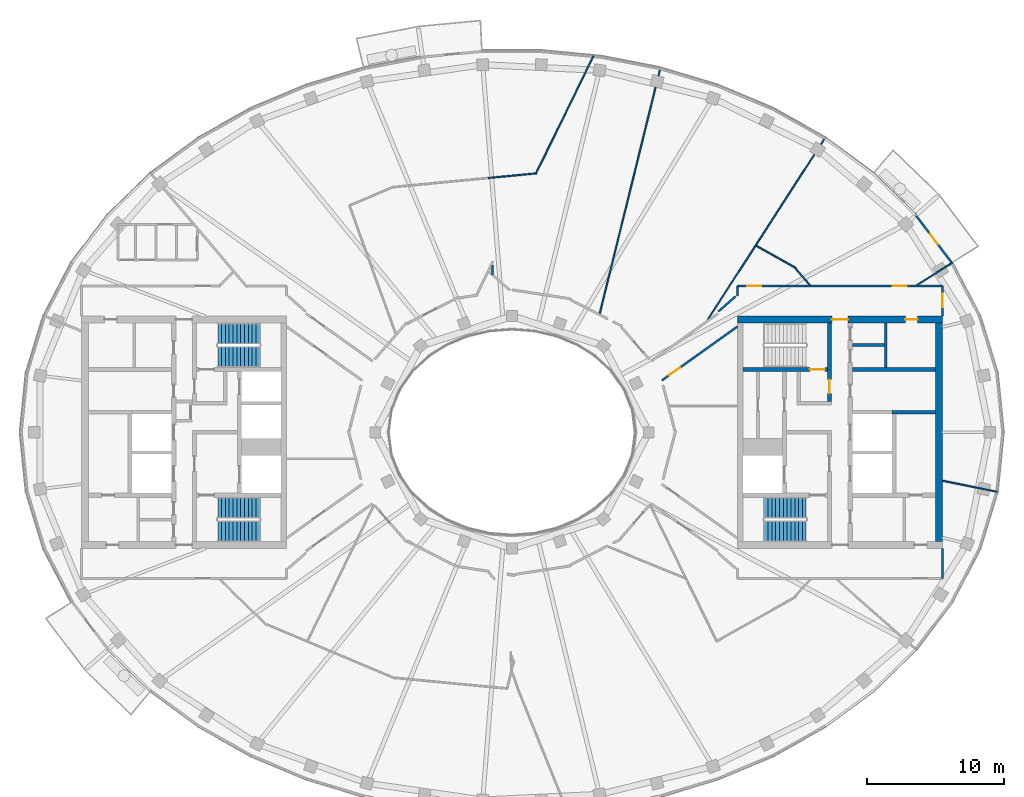
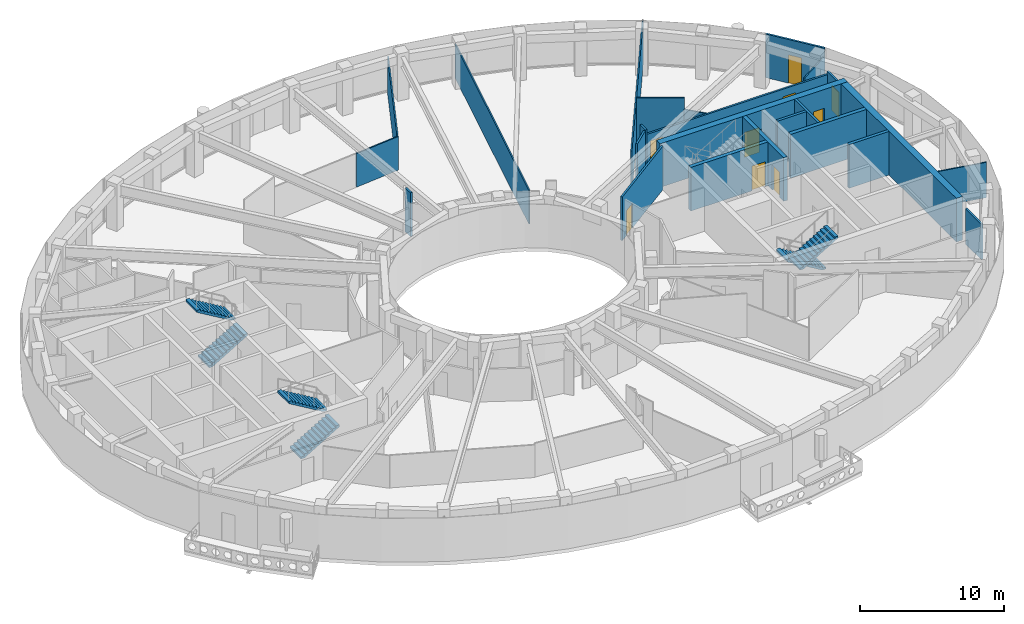
# One storey, part 10 of 20: 24 walls, 9 doors, 6 stair flights, 9 openings, 3 elements without a shape of their own.
"""IFC4 building model written with IfcOpenShell, lengths in metres."""

from ifc_helpers import new_model, si_unit, direction, frame, frame_2d, origin, place, context, subcontext, project, spatial, polyline, rectangle, outline, extrude, material, layer, layer_set, type_object, element, fill, aggregate, save


model = new_model("IFC4")

# Units and contexts
model_context = context("Model", 3, precision=1e-05, world=origin(), true_north=direction((0.0, 1.0)))
body_context = subcontext(model_context, "Body", "Model", "MODEL_VIEW")
ifc_project = project(units=[si_unit("LENGTHUNIT", "METRE"), si_unit("AREAUNIT", "SQUARE_METRE"), si_unit("VOLUMEUNIT", "CUBIC_METRE"), si_unit("PLANEANGLEUNIT", "RADIAN"), si_unit("MASSUNIT", "GRAM", prefix="KILO")], contexts=[model_context])

# Site, building, storey
site_placement = place(None, origin())
site = spatial("IfcSite", under=ifc_project, at=site_placement, CompositionType="ELEMENT")
building_placement = place(site_placement, origin())
building = spatial("IfcBuilding", under=site, at=building_placement, Name="Noorbagh Ring Tower", CompositionType="ELEMENT")
storey_placement = place(building_placement, frame((0.0, 0.0, 323.0)))
storey = spatial("IfcBuildingStorey", under=building, at=storey_placement, Name="L70", CompositionType="ELEMENT", Elevation=323.0)

# Walls
ifc_material_1 = material(Name="Gypsum board on steel studs", Category="steel")
ifc_layer_1 = layer(ifc_material_1, 0.199951171875)
ifc_layer_set_1 = layer_set([ifc_layer_1], Name="Gypsum board on steel studs")
wall_type_1 = type_object("IfcWallType", Name="CORE-PARTITION-200", PredefinedType="PARTITIONING", material=ifc_layer_set_1)
wall_1_placement = place(storey_placement, frame((27.35009765625, 4.75, 0.0), z_axis=(0.0, 0.0, 1.0), x_axis=(0.0, 1.0, 0.0)))
element("IfcWall", 1, at=wall_1_placement, inside=storey, type_object=wall_type_1, Name="Core partition E", PredefinedType="PARTITIONING", context=body_context, shape_type="SweptSolid", body=[
    extrude(rectangle(XDim=3.25, YDim=0.199951171875, at=frame_2d((1.625, 0.0))), origin(), (0.0, 0.0, 1.0), 3.699951171875),
])
wall_2_placement = place(storey_placement, frame((24.89990234375, 6.39990234375, 0.0), z_axis=(0.0, 0.0, 1.0), x_axis=(1.0, 0.0, 0.0)))
element("IfcWall", 2, at=wall_2_placement, inside=storey, type_object=wall_type_1, Name="Core partition E", PredefinedType="PARTITIONING", context=body_context, shape_type="SweptSolid", body=[
    extrude(rectangle(XDim=2.35009765625, YDim=0.199951171875, at=frame_2d((1.175048828125, 0.0))), origin(), (0.0, 0.0, 1.0), 3.699951171875),
])
ifc_material_2 = material(Name="Concrete C50/60", Category="concrete")
ifc_layer_2 = layer(ifc_material_2, 0.25)
ifc_layer_set_2 = layer_set([ifc_layer_2], Name="Concrete C50/60")
wall_type_2 = type_object("IfcWallType", Name="CORE-WALL-250-C50-60-EI120", PredefinedType="SHEAR", material=ifc_layer_set_2)
wall_3_placement = place(storey_placement, frame((27.800048828125, 1.47509765625, 0.0), z_axis=(0.0, 0.0, 1.0), x_axis=(1.0, 0.0, 0.0)))
element("IfcWall", 3, at=wall_3_placement, inside=storey, type_object=wall_type_2, Name="Core wall E", PredefinedType="SHEAR", context=body_context, shape_type="SweptSolid", body=[
    extrude(rectangle(XDim=3.199951171875, YDim=0.25, at=frame_2d((1.60009765625, 0.0))), origin(), (0.0, 0.0, 1.0), 3.699951171875),
])
ifc_material_3 = material(Name="Concrete C50/60", Category="concrete")
ifc_layer_3 = layer(ifc_material_3, 0.300048828125)
ifc_layer_set_3 = layer_set([ifc_layer_3], Name="Concrete C50/60")
wall_type_3 = type_object("IfcWallType", Name="CORE-WALL-300-C50-60-EI240", PredefinedType="SHEAR", material=ifc_layer_set_3)
wall_4_placement = place(storey_placement, frame((24.89990234375, 4.60009765625, 0.0), z_axis=(0.0, 0.0, 1.0), x_axis=(1.0, 0.0, 0.0)))
element("IfcWall", 4, at=wall_4_placement, inside=storey, type_object=wall_type_3, Name="Core wall E", PredefinedType="SHEAR", context=body_context, shape_type="SweptSolid", body=[
    extrude(rectangle(XDim=6.10009765625, YDim=0.300048828125, at=frame_2d((3.050048828125, 0.0))), origin(), (0.0, 0.0, 1.0), 3.699951171875),
])

# Wall, opening, door
wall_5_placement = place(storey_placement, frame((23.22998046875, 2.25, 0.0), z_axis=(0.0, 0.0, 1.0), x_axis=(0.0, 1.0, 0.0)))
wall_5 = element("IfcWall", 5, at=wall_5_placement, inside=storey, type_object=wall_type_3, Name="Core wall E", PredefinedType="SHEAR", context=body_context, shape_type="SweptSolid", body=[
    extrude(rectangle(XDim=5.75, YDim=0.300048828125, at=frame_2d((2.875, 0.0))), origin(), (0.0, 0.0, 1.0), 3.699951171875),
])
opening_1_placement = place(wall_5_placement, frame((0.60009765625, 0.0, 0.0)))
opening_1 = element("IfcOpeningElement", 6, at=opening_1_placement, cuts=wall_5, Name="Opening L70-CE07", PredefinedType="OPENING", context=body_context, shape_type="SweptSolid", body=[
    extrude(rectangle(XDim=1.0, YDim=2.10009765625, at=frame_2d((0.5, 1.050048828125))), frame((0.0, 0.16015625, 0.0), z_axis=(0.0, -1.0, 0.0), x_axis=(1.0, 0.0, 0.0)), (0.0, 0.0, 1.0), 0.320068359375),
])
ifc_material_4 = material(Name="Steel door leaf", Category="steel")
door_type_1 = type_object("IfcDoorType", Name="CORE-DOOR-DVEST", OperationType="SINGLE_SWING_LEFT", PredefinedType="DOOR", material=ifc_material_4)
door_1_placement = place(opening_1_placement, origin())
door_1 = element("IfcDoor", 7, at=door_1_placement, inside=storey, type_object=door_type_1, Name="Stair vestibule door L70-CE07", OperationType="SINGLE_SWING_RIGHT", OverallHeight=2.10009765625, OverallWidth=1.0, PredefinedType="DOOR", context=body_context, shape_type="SweptSolid", body=[
    extrude(rectangle(XDim=1.0, YDim=2.10009765625, at=frame_2d((0.5, 1.050048828125))), frame((0.0, 0.02490234375, 0.0), z_axis=(0.0, -1.0, 0.0), x_axis=(1.0, 0.0, 0.0)), (0.0, 0.0, 1.0), 0.050048828125),
])
fill(opening_1, door_1)

wall_6_placement = place(storey_placement, frame((16.89990234375, 4.60009765625, 0.0), z_axis=(0.0, 0.0, 1.0), x_axis=(1.0, 0.0, 0.0)))
wall_6 = element("IfcWall", 8, at=wall_6_placement, inside=storey, type_object=wall_type_3, Name="Core wall E", PredefinedType="SHEAR", context=body_context, shape_type="SweptSolid", body=[
    extrude(rectangle(XDim=6.18017578125, YDim=0.300048828125, at=frame_2d((3.090087890625, 0.0))), origin(), (0.0, 0.0, 1.0), 3.699951171875),
])
opening_2_placement = place(wall_6_placement, frame((4.89990234375, 0.0, 0.0)))
opening_2 = element("IfcOpeningElement", 9, at=opening_2_placement, cuts=wall_6, Name="Opening L70-CE04", PredefinedType="OPENING", context=body_context, shape_type="SweptSolid", body=[
    extrude(rectangle(XDim=1.10009765625, YDim=2.10009765625, at=frame_2d((0.550048828125, 1.050048828125))), frame((0.0, 0.16015625, 0.0), z_axis=(0.0, -1.0, 0.0), x_axis=(1.0, 0.0, 0.0)), (0.0, 0.0, 1.0), 0.320068359375),
])
ifc_material_5 = material(Name="Steel door leaf", Category="steel")
door_type_2 = type_object("IfcDoorType", Name="CORE-DOOR-DSTAIR", OperationType="SINGLE_SWING_LEFT", PredefinedType="DOOR", material=ifc_material_5)
door_2_placement = place(opening_2_placement, origin())
door_2 = element("IfcDoor", 10, at=door_2_placement, inside=storey, type_object=door_type_2, Name="Stair door ST3 L70-CE04", OperationType="SINGLE_SWING_LEFT", OverallHeight=2.10009765625, OverallWidth=1.10009765625, PredefinedType="DOOR", context=body_context, shape_type="SweptSolid", body=[
    extrude(rectangle(XDim=1.10009765625, YDim=2.10009765625, at=frame_2d((0.550048828125, 1.050048828125))), frame((0.0, 0.02490234375, 0.0), z_axis=(0.0, -1.0, 0.0), x_axis=(1.0, 0.0, 0.0)), (0.0, 0.0, 1.0), 0.050048828125),
])
fill(opening_2, door_2)

# Wall, openings, doors
ifc_material_6 = material(Name="Concrete C50/60", Category="concrete")
ifc_layer_4 = layer(ifc_material_6, 0.5)
ifc_layer_set_4 = layer_set([ifc_layer_4], Name="Concrete C50/60")
wall_type_4 = type_object("IfcWallType", Name="CORE-WALL-500-C50-60-EI240", PredefinedType="SHEAR", material=ifc_layer_set_4)
wall_7_placement = place(storey_placement, frame((16.5, 8.25, 0.0), z_axis=(0.0, 0.0, 1.0), x_axis=(1.0, 0.0, 0.0)))
wall_7 = element("IfcWall", 11, at=wall_7_placement, inside=storey, type_object=wall_type_4, Name="Core wall E", PredefinedType="SHEAR", context=body_context, shape_type="SweptSolid", body=[
    extrude(rectangle(XDim=15.0, YDim=0.5, at=frame_2d((7.5, 0.0))), origin(), (0.0, 0.0, 1.0), 3.699951171875),
])
opening_3_placement = place(wall_7_placement, frame((6.89990234375, 0.0, 0.0)))
opening_3 = element("IfcOpeningElement", 12, at=opening_3_placement, cuts=wall_7, Name="Opening L70-CE08", PredefinedType="OPENING", context=body_context, shape_type="SweptSolid", body=[
    extrude(rectangle(XDim=1.199951171875, YDim=2.10009765625, at=frame_2d((0.60009765625, 1.050048828125))), frame((0.0, 0.260009765625, 0.0), z_axis=(0.0, -1.0, 0.0), x_axis=(1.0, 0.0, 0.0)), (0.0, 0.0, 1.0), 0.52001953125),
])
opening_4_placement = place(wall_7_placement, frame((12.27490234375, 0.0, 0.0)))
opening_4 = element("IfcOpeningElement", 13, at=opening_4_placement, cuts=wall_7, Name="Opening L70-CE15", PredefinedType="OPENING", context=body_context, shape_type="SweptSolid", body=[
    extrude(rectangle(XDim=0.89990234375, YDim=2.10009765625, at=frame_2d((0.449951171875, 1.050048828125))), frame((0.0, 0.260009765625, 0.0), z_axis=(0.0, -1.0, 0.0), x_axis=(1.0, 0.0, 0.0)), (0.0, 0.0, 1.0), 0.52001953125),
])
ifc_material_7 = material(Name="Steel door leaf", Category="steel")
door_type_3 = type_object("IfcDoorType", Name="CORE-DOOR-DROOM", OperationType="SINGLE_SWING_LEFT", PredefinedType="DOOR", material=ifc_material_7)
door_3_placement = place(opening_4_placement, origin())
door_3 = element("IfcDoor", 14, at=door_3_placement, inside=storey, type_object=door_type_3, Name="Core room door L70-CE15", OperationType="SINGLE_SWING_LEFT", OverallHeight=2.10009765625, OverallWidth=0.89990234375, PredefinedType="DOOR", context=body_context, shape_type="SweptSolid", body=[
    extrude(rectangle(XDim=0.89990234375, YDim=2.10009765625, at=frame_2d((0.449951171875, 1.050048828125))), frame((0.0, 0.02490234375, 0.0), z_axis=(0.0, -1.0, 0.0), x_axis=(1.0, 0.0, 0.0)), (0.0, 0.0, 1.0), 0.050048828125),
])
fill(opening_4, door_3)
ifc_material_8 = material(Name="Steel door leaf", Category="steel")
door_type_4 = type_object("IfcDoorType", Name="CORE-DOOR-PORT", OperationType="DOUBLE_DOOR_DOUBLE_SWING", PredefinedType="DOOR", material=ifc_material_8)
door_4_placement = place(opening_3_placement, origin())
door_4 = element("IfcDoor", 15, at=door_4_placement, inside=storey, type_object=door_type_4, Name="Core entrance door L70-CE08", OperationType="DOUBLE_DOOR_DOUBLE_SWING", OverallHeight=2.10009765625, OverallWidth=1.199951171875, PredefinedType="DOOR", context=body_context, shape_type="SweptSolid", body=[
    extrude(rectangle(XDim=1.199951171875, YDim=2.10009765625, at=frame_2d((0.60009765625, 1.050048828125))), frame((0.0, 0.02490234375, 0.0), z_axis=(0.0, -1.0, 0.0), x_axis=(1.0, 0.0, 0.0)), (0.0, 0.0, 1.0), 0.050048828125),
])
fill(opening_3, door_4)

# Walls
wall_8_placement = place(storey_placement, frame((31.25, -8.0, 0.0), z_axis=(0.0, 0.0, 1.0), x_axis=(0.0, 1.0, 0.0)))
element("IfcWall", 16, at=wall_8_placement, inside=storey, type_object=wall_type_4, Name="Core wall E", PredefinedType="SHEAR", context=body_context, shape_type="SweptSolid", body=[
    extrude(rectangle(XDim=16.0, YDim=0.5, at=frame_2d((8.0, 0.0))), origin(), (0.0, 0.0, 1.0), 3.699951171875),
])
ifc_material_9 = material(Name="Gypsum board on steel studs", Category="steel")
ifc_layer_5 = layer(ifc_material_9, 0.14990234375)
ifc_layer_set_5 = layer_set([ifc_layer_5], Name="Gypsum board on steel studs")
wall_type_5 = type_object("IfcWallType", Name="CORRIDOR PARTITION 150 EI 30", PredefinedType="PARTITIONING", material=ifc_layer_set_5)
wall_9_placement = place(storey_placement, frame((-1.444091796875, 12.22705078125, 0.0), z_axis=(0.0, 0.0, 1.0), x_axis=(0.048153441125, -0.998839950196, 0.0)))
element("IfcWall", 17, at=wall_9_placement, inside=storey, type_object=wall_type_5, Name="L70/wall/P47", PredefinedType="PARTITIONING", context=body_context, shape_type="SweptSolid", body=[
    extrude(rectangle(XDim=0.709716796875, YDim=0.14990234375, at=frame_2d((0.35498046875, 0.0))), origin(), (0.0, 0.0, 1.0), 3.699951171875),
])

# Wall, opening, door
wall_10_placement = place(storey_placement, frame((10.969970703125, 3.799072265625, 0.0), z_axis=(0.0, 0.0, 1.0), x_axis=(0.814095150002, 0.580731510032, 0.0)))
wall_10 = element("IfcWall", 18, at=wall_10_placement, inside=storey, type_object=wall_type_5, Name="L70/wall/P72", PredefinedType="PARTITIONING", context=body_context, shape_type="SweptSolid", body=[
    extrude(rectangle(XDim=6.79296875, YDim=0.14990234375, at=frame_2d((3.396484375, 0.0))), origin(), (0.0, 0.0, 1.0), 3.699951171875),
])
opening_5_placement = place(wall_10_placement, frame((0.64990234375, 0.0, 0.0)))
opening_5 = element("IfcOpeningElement", 19, at=opening_5_placement, cuts=wall_10, Name="Opening D1", PredefinedType="OPENING", context=body_context, shape_type="SweptSolid", body=[
    extrude(rectangle(XDim=1.0, YDim=2.10009765625, at=frame_2d((0.5, 1.050048828125))), frame((0.0, 0.0849609375, 0.0), z_axis=(0.0, -1.0, 0.0), x_axis=(1.0, 0.0, 0.0)), (0.0, 0.0, 1.0), 0.169921875),
])
ifc_material_10 = material(Name="Timber, painted", Category="wood")
door_type_5 = type_object("IfcDoorType", Name="DOOR 1000 X 2100 FD30", OperationType="SINGLE_SWING_LEFT", PredefinedType="DOOR", material=ifc_material_10)
door_5_placement = place(opening_5_placement, origin())
door_5 = element("IfcDoor", 20, at=door_5_placement, inside=storey, type_object=door_type_5, Name="L70-D21", OperationType="SINGLE_SWING_LEFT", OverallHeight=2.10009765625, OverallWidth=1.0, PredefinedType="DOOR", context=body_context, shape_type="SweptSolid", body=[
    extrude(rectangle(XDim=1.0, YDim=2.10009765625, at=frame_2d((0.5, 1.050048828125))), frame((0.0, 0.02490234375, 0.0), z_axis=(0.0, -1.0, 0.0), x_axis=(1.0, 0.0, 0.0)), (0.0, 0.0, 1.0), 0.050048828125),
])
fill(opening_5, door_5)

# Wall
wall_11_placement = place(storey_placement, frame((16.5, 9.964111328125, 0.0), z_axis=(0.0, 0.0, 1.0), x_axis=(0.0, 1.0, 0.0)))
element("IfcWall", 21, at=wall_11_placement, inside=storey, type_object=wall_type_5, Name="L70/wall/P82", PredefinedType="PARTITIONING", context=body_context, shape_type="SweptSolid", body=[
    extrude(rectangle(XDim=0.73583984375, YDim=0.14990234375, at=frame_2d((0.367919921875, 0.0))), origin(), (0.0, 0.0, 1.0), 3.699951171875),
])

# Wall, openings, doors
wall_12_placement = place(storey_placement, frame((16.5, 10.699951171875, 0.0), z_axis=(0.0, 0.0, 1.0), x_axis=(1.0, 0.0, 0.0)))
wall_12 = element("IfcWall", 22, at=wall_12_placement, inside=storey, type_object=wall_type_5, Name="L70/wall/P83", PredefinedType="PARTITIONING", context=body_context, shape_type="SweptSolid", body=[
    extrude(rectangle(XDim=15.0, YDim=0.14990234375, at=frame_2d((7.5, 0.0))), origin(), (0.0, 0.0, 1.0), 2.75),
])
opening_6_placement = place(wall_12_placement, frame((0.72509765625, 0.0, 0.0)))
opening_6 = element("IfcOpeningElement", 23, at=opening_6_placement, cuts=wall_12, Name="Opening D1", PredefinedType="OPENING", context=body_context, shape_type="SweptSolid", body=[
    extrude(rectangle(XDim=1.0, YDim=2.10009765625, at=frame_2d((0.5, 1.050048828125))), frame((0.0, 0.0849609375, 0.0), z_axis=(0.0, -1.0, 0.0), x_axis=(1.0, 0.0, 0.0)), (0.0, 0.0, 1.0), 0.169921875),
])
opening_7_placement = place(wall_12_placement, frame((11.37109375, 0.0, 0.0)))
opening_7 = element("IfcOpeningElement", 24, at=opening_7_placement, cuts=wall_12, Name="Opening D1", PredefinedType="OPENING", context=body_context, shape_type="SweptSolid", body=[
    extrude(rectangle(XDim=1.0, YDim=2.10009765625, at=frame_2d((0.5, 1.050048828125))), frame((0.0, 0.0849609375, 0.0), z_axis=(0.0, -1.0, 0.0), x_axis=(1.0, 0.0, 0.0)), (0.0, 0.0, 1.0), 0.169921875),
])
door_6_placement = place(opening_6_placement, origin())
door_6 = element("IfcDoor", 25, at=door_6_placement, inside=storey, type_object=door_type_5, Name="L70-D14", OperationType="SINGLE_SWING_RIGHT", OverallHeight=2.10009765625, OverallWidth=1.0, PredefinedType="DOOR", context=body_context, shape_type="SweptSolid", body=[
    extrude(rectangle(XDim=1.0, YDim=2.10009765625, at=frame_2d((0.5, 1.050048828125))), frame((0.0, 0.02490234375, 0.0), z_axis=(0.0, -1.0, 0.0), x_axis=(1.0, 0.0, 0.0)), (0.0, 0.0, 1.0), 0.050048828125),
])
fill(opening_6, door_6)
door_7_placement = place(opening_7_placement, origin())
door_7 = element("IfcDoor", 26, at=door_7_placement, inside=storey, type_object=door_type_5, Name="L70-D15", OperationType="SINGLE_SWING_LEFT", OverallHeight=2.10009765625, OverallWidth=1.0, PredefinedType="DOOR", context=body_context, shape_type="SweptSolid", body=[
    extrude(rectangle(XDim=1.0, YDim=2.10009765625, at=frame_2d((0.5, 1.050048828125))), frame((0.0, 0.02490234375, 0.0), z_axis=(0.0, -1.0, 0.0), x_axis=(1.0, 0.0, 0.0)), (0.0, 0.0, 1.0), 0.050048828125),
])
fill(opening_7, door_7)

# Wall
wall_13_placement = place(storey_placement, frame((31.5, -10.699951171875, 0.0), z_axis=(0.0, 0.0, 1.0), x_axis=(0.0, 1.0, 0.0)))
element("IfcWall", 27, at=wall_13_placement, inside=storey, type_object=wall_type_5, Name="L70/wall/P89", PredefinedType="PARTITIONING", context=body_context, shape_type="SweptSolid", body=[
    extrude(rectangle(XDim=2.199951171875, YDim=0.14990234375, at=frame_2d((1.10009765625, 0.0))), origin(), (0.0, 0.0, 1.0), 3.0),
])

# Wall, opening, door
wall_14_placement = place(storey_placement, frame((31.5, 8.5, 0.0), z_axis=(0.0, 0.0, 1.0), x_axis=(0.0, 1.0, 0.0)))
wall_14 = element("IfcWall", 28, at=wall_14_placement, inside=storey, type_object=wall_type_5, Name="L70/wall/P91", PredefinedType="PARTITIONING", context=body_context, shape_type="SweptSolid", body=[
    extrude(rectangle(XDim=2.199951171875, YDim=0.14990234375, at=frame_2d((1.10009765625, 0.0))), origin(), (0.0, 0.0, 1.0), 3.0),
])
opening_8_placement = place(wall_14_placement, frame((0.64990234375, 0.0, 0.0)))
opening_8 = element("IfcOpeningElement", 29, at=opening_8_placement, cuts=wall_14, Name="Opening D1", PredefinedType="OPENING", context=body_context, shape_type="SweptSolid", body=[
    extrude(rectangle(XDim=1.0, YDim=2.10009765625, at=frame_2d((0.5, 1.050048828125))), frame((0.0, 0.0849609375, 0.0), z_axis=(0.0, -1.0, 0.0), x_axis=(1.0, 0.0, 0.0)), (0.0, 0.0, 1.0), 0.169921875),
])
door_8_placement = place(opening_8_placement, origin())
door_8 = element("IfcDoor", 30, at=door_8_placement, inside=storey, type_object=door_type_5, Name="L70-D17", OperationType="SINGLE_SWING_LEFT", OverallHeight=2.10009765625, OverallWidth=1.0, PredefinedType="DOOR", context=body_context, shape_type="SweptSolid", body=[
    extrude(rectangle(XDim=1.0, YDim=2.10009765625, at=frame_2d((0.5, 1.050048828125))), frame((0.0, 0.02490234375, 0.0), z_axis=(0.0, -1.0, 0.0), x_axis=(1.0, 0.0, 0.0)), (0.0, 0.0, 1.0), 0.050048828125),
])
fill(opening_8, door_8)

# Wall
wall_15_placement = place(storey_placement, frame((15.090087890625, 8.8310546875, 0.0), z_axis=(0.0, 0.0, 1.0), x_axis=(0.750621325629, 0.660732642989, 0.0)))
element("IfcWall", 31, at=wall_15_placement, inside=storey, type_object=wall_type_5, Name="L70/wall/P95", PredefinedType="PARTITIONING", context=body_context, shape_type="SweptSolid", body=[
    extrude(rectangle(XDim=1.68115234375, YDim=0.14990234375, at=frame_2d((0.840576171875, 0.0))), origin(), (0.0, 0.0, 1.0), 3.699951171875),
])

# Wall, opening, door
ifc_material_11 = material(Name="Insulated aluminium clad panel", Category="aluminium")
ifc_layer_6 = layer(ifc_material_11, 0.14990234375)
ifc_layer_set_6 = layer_set([ifc_layer_6], Name="Insulated aluminium clad panel")
wall_type_6 = type_object("IfcWallType", Name="ENV-WALL-DOOR", PredefinedType="STANDARD", material=ifc_layer_set_6)
wall_16_placement = place(storey_placement, frame((32.20751953125, 12.37353515625, 0.0), z_axis=(0.0, 0.0, 1.0), x_axis=(-0.604045763106, 0.796949632081, 0.0)))
wall_16 = element("IfcWall", 32, at=wall_16_placement, inside=storey, type_object=wall_type_6, Name="Balcony door wall chord 04", PredefinedType="STANDARD", context=body_context, shape_type="SweptSolid", body=[
    extrude(rectangle(XDim=4.42333984375, YDim=0.14990234375, at=frame_2d((2.211669921875, 0.0))), origin(), (0.0, 0.0, 1.0), 3.699951171875),
])
opening_9_placement = place(wall_16_placement, frame((1.711669921875, 0.0, 0.0)))
opening_9 = element("IfcOpeningElement", 33, at=opening_9_placement, cuts=wall_16, Name="Opening D-BL", PredefinedType="OPENING", context=body_context, shape_type="SweptSolid", body=[
    extrude(rectangle(XDim=1.0, YDim=2.39990234375, at=frame_2d((0.5, 1.199951171875))), frame((0.0, 0.0849609375, 0.0), z_axis=(0.0, -1.0, 0.0), x_axis=(1.0, 0.0, 0.0)), (0.0, 0.0, 1.0), 0.169921875),
])
ifc_material_12 = material(Name="Aluminium and glass", Category="aluminium")
door_type_6 = type_object("IfcDoorType", Name="ENV-DOOR-BALCONY", OperationType="SINGLE_SWING_LEFT", PredefinedType="DOOR", material=ifc_material_12)
door_9_placement = place(opening_9_placement, origin())
door_9 = element("IfcDoor", 34, at=door_9_placement, inside=storey, type_object=door_type_6, Name="Balcony door chord 04", OperationType="SINGLE_SWING_LEFT", OverallHeight=2.39990234375, OverallWidth=1.0, PredefinedType="DOOR", context=body_context, shape_type="SweptSolid", body=[
    extrude(rectangle(XDim=1.0, YDim=2.39990234375, at=frame_2d((0.5, 1.199951171875))), frame((0.0, 0.02490234375, 0.0), z_axis=(0.0, -1.0, 0.0), x_axis=(1.0, 0.0, 0.0)), (0.0, 0.0, 1.0), 0.050048828125),
])
fill(opening_9, door_9)

# Walls
ifc_material_13 = material(Name="Gypsum board on steel studs", Category="steel")
ifc_layer_7 = layer(ifc_material_13, 0.10009765625)
ifc_layer_set_7 = layer_set([ifc_layer_7], Name="Gypsum board on steel studs")
wall_type_7 = type_object("IfcWallType", Name="PARTITION 100 GYPSUM", PredefinedType="PARTITIONING", material=ifc_layer_set_7)
wall_17_placement = place(storey_placement, frame((-1.7490234375, 18.611083984375, 0.0), z_axis=(0.0, 0.0, 1.0), x_axis=(0.995435221006, 0.095439618505, 0.0)))
element("IfcWall", 35, at=wall_17_placement, inside=storey, type_object=wall_type_7, Name="L70/wall/P46", PredefinedType="PARTITIONING", context=body_context, shape_type="SweptSolid", body=[
    extrude(rectangle(XDim=3.581298828125, YDim=0.10009765625, at=frame_2d((1.79052734375, 0.0))), origin(), (0.0, 0.0, 1.0), 2.85009765625),
])
wall_18_placement = place(storey_placement, frame((1.783935546875, 19.0, 0.0), z_axis=(0.0, 0.0, 1.0), x_axis=(0.43920137793, 0.898388640636, 0.0)))
element("IfcWall", 36, at=wall_18_placement, inside=storey, type_object=wall_type_7, Name="L70/wall/P58", PredefinedType="PARTITIONING", context=body_context, shape_type="SweptSolid", body=[
    extrude(rectangle(XDim=9.503662109375, YDim=0.10009765625, at=frame_2d((4.751953125, 0.0))), origin(), (0.0, 0.0, 1.0), 3.0),
])
wall_19_placement = place(storey_placement, frame((6.419921875, 8.69189453125, 0.0), z_axis=(0.0, 0.0, 1.0), x_axis=(0.239714123263, 0.970843519373, 0.0)))
element("IfcWall", 37, at=wall_19_placement, inside=storey, type_object=wall_type_7, Name="L70/wall/P62", PredefinedType="PARTITIONING", context=body_context, shape_type="SweptSolid", body=[
    extrude(rectangle(XDim=18.493408203125, YDim=0.10009765625, at=frame_2d((9.24658203125, 0.0))), origin(), (0.0, 0.0, 1.0), 2.85009765625),
])
wall_20_placement = place(storey_placement, frame((14.330078125, 8.256103515625, 0.0), z_axis=(0.0, 0.0, 1.0), x_axis=(0.542279133869, 0.840198393816, 0.0)))
element("IfcWall", 38, at=wall_20_placement, inside=storey, type_object=wall_type_7, Name="L70/wall/P78", PredefinedType="PARTITIONING", context=body_context, shape_type="SweptSolid", body=[
    extrude(rectangle(XDim=15.812744140625, YDim=0.10009765625, at=frame_2d((7.90625, 0.0))), origin(), (0.0, 0.0, 1.0), 3.699951171875),
])
wall_21_placement = place(storey_placement, frame((17.8740234375, 13.653076171875, 0.0), z_axis=(0.0, 0.0, 1.0), x_axis=(0.871459194926, -0.490468012799, 0.0)))
element("IfcWall", 39, at=wall_21_placement, inside=storey, type_object=wall_type_7, Name="L70/wall/P84", PredefinedType="PARTITIONING", context=body_context, shape_type="SweptSolid", body=[
    extrude(rectangle(XDim=3.30712890625, YDim=0.10009765625, at=frame_2d((1.653564453125, 0.0))), origin(), (0.0, 0.0, 1.0), 3.699951171875),
])
wall_22_placement = place(storey_placement, frame((20.72705078125, 11.993896484375, 0.0), z_axis=(0.0, 0.0, 1.0), x_axis=(0.663507744466, -0.748169414661, 0.0)))
element("IfcWall", 40, at=wall_22_placement, inside=storey, type_object=wall_type_7, Name="L70/wall/P86", PredefinedType="PARTITIONING", context=body_context, shape_type="SweptSolid", body=[
    extrude(rectangle(XDim=1.62939453125, YDim=0.10009765625, at=frame_2d((0.814697265625, 0.0))), origin(), (0.0, 0.0, 1.0), 2.75),
])
wall_23_placement = place(storey_placement, frame((29.636962890625, 10.777099609375, 0.0), z_axis=(0.0, 0.0, 1.0), x_axis=(0.844810627195, 0.535065420467, 0.0)))
element("IfcWall", 41, at=wall_23_placement, inside=storey, type_object=wall_type_7, Name="L70/wall/P88", PredefinedType="PARTITIONING", context=body_context, shape_type="SweptSolid", body=[
    extrude(rectangle(XDim=3.0478515625, YDim=0.10009765625, at=frame_2d((1.52392578125, 0.0))), origin(), (0.0, 0.0, 1.0), 3.0),
])
wall_24_placement = place(storey_placement, frame((31.5, -3.5419921875, 0.0), z_axis=(0.0, 0.0, 1.0), x_axis=(0.980357474535, -0.197228857227, 0.0)))
element("IfcWall", 42, at=wall_24_placement, inside=storey, type_object=wall_type_7, Name="L70/wall/P90", PredefinedType="PARTITIONING", context=body_context, shape_type="SweptSolid", body=[
    extrude(rectangle(XDim=4.09228515625, YDim=0.10009765625, at=frame_2d((2.046142578125, 0.0))), origin(), (0.0, 0.0, 1.0), 3.0),
])

# Stair, stair flights
ifc_material_14 = material(Name="Concrete C40/50", Category="concrete")
stair_type = type_object("IfcStairType", Name="CORE-STAIR", PredefinedType="HALF_TURN_STAIR", material=ifc_material_14)
stair_1_placement = place(storey_placement, origin())
stair_1 = element("IfcStair", 43, at=stair_1_placement, inside=storey, type_object=stair_type, Name="L70 Exit stair ST1", PredefinedType="HALF_TURN_STAIR")
ifc_material_15 = material(Name="Concrete C40/50", Category="concrete")
stair_flight_type = type_object("IfcStairFlightType", Name="CORE-STAIR-FLIGHT", PredefinedType="STRAIGHT", material=ifc_material_15)
stair_flight_1_placement = place(storey_placement, frame((-21.530029296875, 5.52490234375, 0.0), z_axis=(0.0, 0.0, 1.0), x_axis=(1.0, 0.0, 0.0)))
stair_flight_1 = element("IfcStairFlight", 44, at=stair_flight_1_placement, type_object=stair_flight_type, Name="ST1 flight 1", NumberOfRisers=12, NumberOfTreads=11, PredefinedType="STRAIGHT", RiserHeight=0.166666667, TreadLength=0.28, context=body_context, shape_type="SweptSolid", body=[
    extrude(outline(polyline([(0.0, 0.0), (0.0, 0.166748046875), (0.280029296875, 0.166748046875), (0.280029296875, 0.333251953125), (0.56005859375, 0.333251953125), (0.56005859375, 0.5), (0.840087890625, 0.5), (0.840087890625, 0.666748046875), (1.1201171875, 0.666748046875), (1.1201171875, 0.833251953125), (1.39990234375, 0.833251953125), (1.39990234375, 1.0), (1.679931640625, 1.0), (1.679931640625, 1.166748046875), (1.9599609375, 1.166748046875), (1.9599609375, 1.333251953125), (2.239990234375, 1.333251953125), (2.239990234375, 1.5), (2.52001953125, 1.5), (2.52001953125, 1.666748046875), (2.800048828125, 1.666748046875), (2.800048828125, 1.833251953125), (3.080078125, 1.833251953125), (3.080078125, 2.0), (3.080078125, 1.658935546875), (0.29296875, 0.0), (0.0, 0.0)])), frame((0.0, 0.77490234375, 0.0), z_axis=(0.0, -1.0, 0.0), x_axis=(1.0, 0.0, 0.0)), (0.0, 0.0, 1.0), 1.550048828125),
])
stair_flight_2_placement = place(storey_placement, frame((-18.449951171875, 7.22509765625, 2.0), z_axis=(0.0, 0.0, 1.0), x_axis=(-1.0, 0.0, 0.0)))
stair_flight_2 = element("IfcStairFlight", 45, at=stair_flight_2_placement, type_object=stair_flight_type, Name="ST1 flight 2", NumberOfRisers=12, NumberOfTreads=11, PredefinedType="STRAIGHT", RiserHeight=0.166666667, TreadLength=0.28, context=body_context, shape_type="SweptSolid", body=[
    extrude(outline(polyline([(0.0, 0.0), (0.0, 0.166748046875), (0.280029296875, 0.166748046875), (0.280029296875, 0.333251953125), (0.56005859375, 0.333251953125), (0.56005859375, 0.5), (0.840087890625, 0.5), (0.840087890625, 0.666748046875), (1.1201171875, 0.666748046875), (1.1201171875, 0.833251953125), (1.39990234375, 0.833251953125), (1.39990234375, 1.0), (1.679931640625, 1.0), (1.679931640625, 1.166748046875), (1.9599609375, 1.166748046875), (1.9599609375, 1.333251953125), (2.239990234375, 1.333251953125), (2.239990234375, 1.5), (2.52001953125, 1.5), (2.52001953125, 1.666748046875), (2.800048828125, 1.666748046875), (2.800048828125, 1.833251953125), (3.080078125, 1.833251953125), (3.080078125, 2.0), (3.080078125, 1.658935546875), (0.29296875, 0.0), (0.0, 0.0)])), frame((0.0, 0.77490234375, 0.0), z_axis=(0.0, -1.0, 0.0), x_axis=(1.0, 0.0, 0.0)), (0.0, 0.0, 1.0), 1.550048828125),
])
aggregate(stair_1, [stair_flight_1, stair_flight_2])

stair_2_placement = place(storey_placement, origin())
stair_2 = element("IfcStair", 46, at=stair_2_placement, inside=storey, type_object=stair_type, Name="L70 Exit stair ST2", PredefinedType="HALF_TURN_STAIR")
stair_flight_3_placement = place(storey_placement, frame((-21.530029296875, -7.22509765625, 0.0), z_axis=(0.0, 0.0, 1.0), x_axis=(1.0, 0.0, 0.0)))
stair_flight_3 = element("IfcStairFlight", 47, at=stair_flight_3_placement, type_object=stair_flight_type, Name="ST2 flight 1", NumberOfRisers=12, NumberOfTreads=11, PredefinedType="STRAIGHT", RiserHeight=0.166666667, TreadLength=0.28, context=body_context, shape_type="SweptSolid", body=[
    extrude(outline(polyline([(0.0, 0.0), (0.0, 0.166748046875), (0.280029296875, 0.166748046875), (0.280029296875, 0.333251953125), (0.56005859375, 0.333251953125), (0.56005859375, 0.5), (0.840087890625, 0.5), (0.840087890625, 0.666748046875), (1.1201171875, 0.666748046875), (1.1201171875, 0.833251953125), (1.39990234375, 0.833251953125), (1.39990234375, 1.0), (1.679931640625, 1.0), (1.679931640625, 1.166748046875), (1.9599609375, 1.166748046875), (1.9599609375, 1.333251953125), (2.239990234375, 1.333251953125), (2.239990234375, 1.5), (2.52001953125, 1.5), (2.52001953125, 1.666748046875), (2.800048828125, 1.666748046875), (2.800048828125, 1.833251953125), (3.080078125, 1.833251953125), (3.080078125, 2.0), (3.080078125, 1.658935546875), (0.29296875, 0.0), (0.0, 0.0)])), frame((0.0, 0.77490234375, 0.0), z_axis=(0.0, -1.0, 0.0), x_axis=(1.0, 0.0, 0.0)), (0.0, 0.0, 1.0), 1.550048828125),
])
stair_flight_4_placement = place(storey_placement, frame((-18.449951171875, -5.52490234375, 2.0), z_axis=(0.0, 0.0, 1.0), x_axis=(-1.0, 0.0, 0.0)))
stair_flight_4 = element("IfcStairFlight", 48, at=stair_flight_4_placement, type_object=stair_flight_type, Name="ST2 flight 2", NumberOfRisers=12, NumberOfTreads=11, PredefinedType="STRAIGHT", RiserHeight=0.166666667, TreadLength=0.28, context=body_context, shape_type="SweptSolid", body=[
    extrude(outline(polyline([(0.0, 0.0), (0.0, 0.166748046875), (0.280029296875, 0.166748046875), (0.280029296875, 0.333251953125), (0.56005859375, 0.333251953125), (0.56005859375, 0.5), (0.840087890625, 0.5), (0.840087890625, 0.666748046875), (1.1201171875, 0.666748046875), (1.1201171875, 0.833251953125), (1.39990234375, 0.833251953125), (1.39990234375, 1.0), (1.679931640625, 1.0), (1.679931640625, 1.166748046875), (1.9599609375, 1.166748046875), (1.9599609375, 1.333251953125), (2.239990234375, 1.333251953125), (2.239990234375, 1.5), (2.52001953125, 1.5), (2.52001953125, 1.666748046875), (2.800048828125, 1.666748046875), (2.800048828125, 1.833251953125), (3.080078125, 1.833251953125), (3.080078125, 2.0), (3.080078125, 1.658935546875), (0.29296875, 0.0), (0.0, 0.0)])), frame((0.0, 0.77490234375, 0.0), z_axis=(0.0, -1.0, 0.0), x_axis=(1.0, 0.0, 0.0)), (0.0, 0.0, 1.0), 1.550048828125),
])
aggregate(stair_2, [stair_flight_3, stair_flight_4])

stair_3_placement = place(storey_placement, origin())
stair_3 = element("IfcStair", 49, at=stair_3_placement, inside=storey, type_object=stair_type, Name="L70 Exit stair ST4", PredefinedType="HALF_TURN_STAIR")
stair_flight_5_placement = place(storey_placement, frame((21.530029296875, -5.52490234375, 0.0), z_axis=(0.0, 0.0, 1.0), x_axis=(-1.0, 0.0, 0.0)))
stair_flight_5 = element("IfcStairFlight", 50, at=stair_flight_5_placement, type_object=stair_flight_type, Name="ST4 flight 1", NumberOfRisers=12, NumberOfTreads=11, PredefinedType="STRAIGHT", RiserHeight=0.166666667, TreadLength=0.28, context=body_context, shape_type="SweptSolid", body=[
    extrude(outline(polyline([(0.0, 0.0), (0.0, 0.166748046875), (0.280029296875, 0.166748046875), (0.280029296875, 0.333251953125), (0.56005859375, 0.333251953125), (0.56005859375, 0.5), (0.840087890625, 0.5), (0.840087890625, 0.666748046875), (1.1201171875, 0.666748046875), (1.1201171875, 0.833251953125), (1.39990234375, 0.833251953125), (1.39990234375, 1.0), (1.679931640625, 1.0), (1.679931640625, 1.166748046875), (1.9599609375, 1.166748046875), (1.9599609375, 1.333251953125), (2.239990234375, 1.333251953125), (2.239990234375, 1.5), (2.52001953125, 1.5), (2.52001953125, 1.666748046875), (2.800048828125, 1.666748046875), (2.800048828125, 1.833251953125), (3.080078125, 1.833251953125), (3.080078125, 2.0), (3.080078125, 1.658935546875), (0.29296875, 0.0), (0.0, 0.0)])), frame((0.0, 0.77490234375, 0.0), z_axis=(0.0, -1.0, 0.0), x_axis=(1.0, 0.0, 0.0)), (0.0, 0.0, 1.0), 1.550048828125),
])
stair_flight_6_placement = place(storey_placement, frame((18.449951171875, -7.22509765625, 2.0), z_axis=(0.0, 0.0, 1.0), x_axis=(1.0, 0.0, 0.0)))
stair_flight_6 = element("IfcStairFlight", 51, at=stair_flight_6_placement, type_object=stair_flight_type, Name="ST4 flight 2", NumberOfRisers=12, NumberOfTreads=11, PredefinedType="STRAIGHT", RiserHeight=0.166666667, TreadLength=0.28, context=body_context, shape_type="SweptSolid", body=[
    extrude(outline(polyline([(0.0, 0.0), (0.0, 0.166748046875), (0.280029296875, 0.166748046875), (0.280029296875, 0.333251953125), (0.56005859375, 0.333251953125), (0.56005859375, 0.5), (0.840087890625, 0.5), (0.840087890625, 0.666748046875), (1.1201171875, 0.666748046875), (1.1201171875, 0.833251953125), (1.39990234375, 0.833251953125), (1.39990234375, 1.0), (1.679931640625, 1.0), (1.679931640625, 1.166748046875), (1.9599609375, 1.166748046875), (1.9599609375, 1.333251953125), (2.239990234375, 1.333251953125), (2.239990234375, 1.5), (2.52001953125, 1.5), (2.52001953125, 1.666748046875), (2.800048828125, 1.666748046875), (2.800048828125, 1.833251953125), (3.080078125, 1.833251953125), (3.080078125, 2.0), (3.080078125, 1.658935546875), (0.29296875, 0.0), (0.0, 0.0)])), frame((0.0, 0.77490234375, 0.0), z_axis=(0.0, -1.0, 0.0), x_axis=(1.0, 0.0, 0.0)), (0.0, 0.0, 1.0), 1.550048828125),
])
aggregate(stair_3, [stair_flight_5, stair_flight_6])

save(model, "model.ifc")
